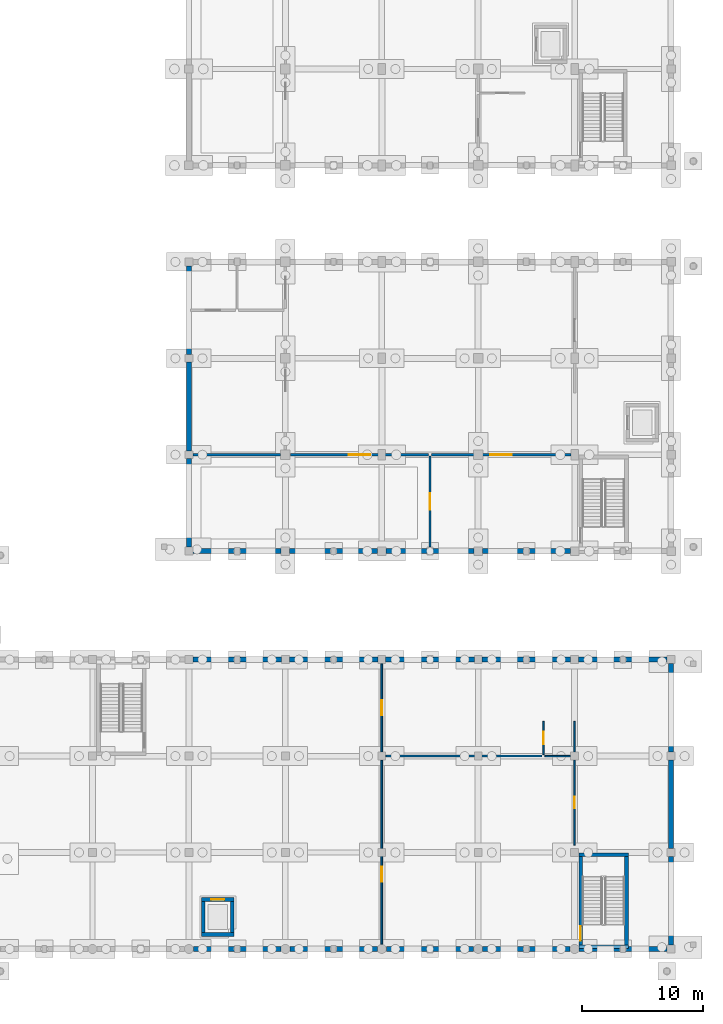
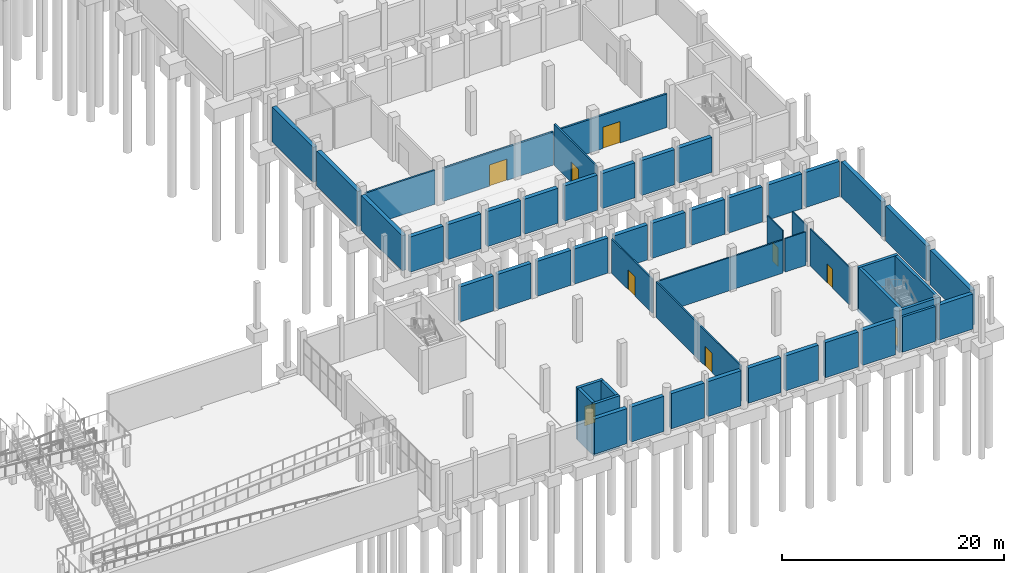
# One storey, part 31 of 52: 53 walls, 9 doors, 9 openings.
"""IFC4 building model written with IfcOpenShell, lengths in metres."""

from ifc_helpers import new_model, si_unit, direction, frame, frame_2d, origin, place, context, subcontext, project, spatial, rectangle, extrude, material, layer, layer_set, type_object, element, fill, save


model = new_model("IFC4")

# Units and contexts
model_context = context("Model", 3, precision=1e-05, world=origin(), true_north=direction((0.0, 1.0)))
body_context = subcontext(model_context, "Body", "Model", "MODEL_VIEW")
ifc_project = project(units=[si_unit("LENGTHUNIT", "METRE"), si_unit("AREAUNIT", "SQUARE_METRE"), si_unit("VOLUMEUNIT", "CUBIC_METRE"), si_unit("PLANEANGLEUNIT", "RADIAN"), si_unit("MASSUNIT", "GRAM", prefix="KILO")], contexts=[model_context])

# Site, building, storey
site_placement = place(None, origin())
site = spatial("IfcSite", under=ifc_project, at=site_placement, CompositionType="ELEMENT")
building_placement = place(site_placement, origin())
building = spatial("IfcBuilding", under=site, at=building_placement, Name="Luwemba Playhouse", CompositionType="ELEMENT")
storey_placement = place(building_placement, frame((0.0, 0.0, -4.800048828125)))
storey = spatial("IfcBuildingStorey", under=building, at=storey_placement, Name="B1", CompositionType="ELEMENT", Elevation=-4.800048828125)

# Walls
ifc_material_1 = material(Name="Concrete C40/50", Category="concrete")
ifc_layer_1 = layer(ifc_material_1, 0.300048828125)
ifc_layer_set_1 = layer_set([ifc_layer_1], Name="Concrete C40/50")
wall_type_1 = type_object("IfcWallType", Name="WAL-CORE-300", PredefinedType="SHEAR", material=ifc_layer_set_1)
wall_1_placement = place(storey_placement, frame((164.35009765625, 3.18994140625, 3.85009765625), z_axis=(0.0, 0.0, 1.0), x_axis=(1.0, 0.0, 0.0)))
element("IfcWall", 1, at=wall_1_placement, inside=storey, type_object=wall_type_1, Name="B1 ST-05 stair core wall S", PredefinedType="SHEAR", context=body_context, shape_type="SweptSolid", body=[
    extrude(rectangle(XDim=4.099853515625, YDim=0.300048828125, at=frame_2d((2.0498046875, 0.0))), origin(), (0.0, 0.0, 1.0), 0.64990234375),
])
wall_2_placement = place(storey_placement, frame((168.449951171875, 10.81005859375, -0.3798828125), z_axis=(0.0, 0.0, 1.0), x_axis=(-1.0, 0.0, 0.0)))
element("IfcWall", 2, at=wall_2_placement, inside=storey, type_object=wall_type_1, Name="B1 ST-05 stair core wall N", PredefinedType="SHEAR", context=body_context, shape_type="SweptSolid", body=[
    extrude(rectangle(XDim=4.099853515625, YDim=0.300048828125, at=frame_2d((2.0498046875, 0.0))), origin(), (0.0, 0.0, 1.0), 4.8798828125),
])

# Wall, opening, door
wall_3_placement = place(storey_placement, frame((164.5, 10.659912109375, -0.3798828125), z_axis=(0.0, 0.0, 1.0), x_axis=(0.0, -1.0, 0.0)))
wall_3 = element("IfcWall", 3, at=wall_3_placement, inside=storey, type_object=wall_type_1, Name="B1 ST-05 stair core wall W", PredefinedType="SHEAR", context=body_context, shape_type="SweptSolid", body=[
    extrude(rectangle(XDim=7.31982421875, YDim=0.300048828125, at=frame_2d((3.659912109375, 0.0))), origin(), (0.0, 0.0, 1.0), 4.8798828125),
])
opening_1_placement = place(wall_3_placement, frame((5.77001953125, 0.0, 0.3798828125)))
opening_1 = element("IfcOpeningElement", 4, at=opening_1_placement, cuts=wall_3, Name="Opening D-STAIR3", PredefinedType="OPENING", context=body_context, shape_type="SweptSolid", body=[
    extrude(rectangle(XDim=1.199951171875, YDim=2.14990234375, at=frame_2d((0.60009765625, 1.074951171875))), frame((0.0, 0.159912109375, 0.0), z_axis=(0.0, -1.0, 0.0), x_axis=(1.0, 0.0, 0.0)), (0.0, 0.0, 1.0), 0.320068359375),
])
ifc_material_2 = material(Name="Hardwood acoustic fire door leaf", Category="wood")
door_type_1 = type_object("IfcDoorType", Name="DR-STAIR-120", OperationType="NOTDEFINED", PredefinedType="DOOR", material=ifc_material_2)
door_1_placement = place(opening_1_placement, origin())
door_1 = element("IfcDoor", 5, at=door_1_placement, inside=storey, type_object=door_type_1, Name="B1 ST-05 protected stair entry door", OperationType="SINGLE_SWING_LEFT", OverallHeight=2.14990234375, OverallWidth=1.199951171875, PredefinedType="DOOR", context=body_context, shape_type="SweptSolid", body=[
    extrude(rectangle(XDim=1.199951171875, YDim=2.14990234375, at=frame_2d((0.60009765625, 1.074951171875))), frame((0.0, 0.02490234375, 0.0), z_axis=(0.0, -1.0, 0.0), x_axis=(1.0, 0.0, 0.0)), (0.0, 0.0, 1.0), 0.050048828125),
])
fill(opening_1, door_1)

# Walls
wall_4_placement = place(storey_placement, frame((168.300048828125, 10.659912109375, -0.3798828125), z_axis=(0.0, 0.0, 1.0), x_axis=(0.0, -1.0, 0.0)))
element("IfcWall", 6, at=wall_4_placement, inside=storey, type_object=wall_type_1, Name="B1 ST-05 stair core wall E", PredefinedType="SHEAR", context=body_context, shape_type="SweptSolid", body=[
    extrude(rectangle(XDim=7.31982421875, YDim=0.300048828125, at=frame_2d((3.659912109375, 0.0))), origin(), (0.0, 0.0, 1.0), 4.8798828125),
])
wall_5_placement = place(storey_placement, frame((133.050048828125, 4.199951171875, -1.199951171875), z_axis=(0.0, 0.0, 1.0), x_axis=(1.0, 0.0, 0.0)))
element("IfcWall", 7, at=wall_5_placement, inside=storey, type_object=wall_type_1, Name="B1 Lift LF-P5 shaft wall S", PredefinedType="SHEAR", context=body_context, shape_type="SweptSolid", body=[
    extrude(rectangle(XDim=2.699951171875, YDim=0.300048828125, at=frame_2d((1.35009765625, 0.0))), origin(), (0.0, 0.0, 1.0), 5.699951171875),
])

# Wall, opening, door
wall_6_placement = place(storey_placement, frame((135.75, 7.10009765625, -1.199951171875), z_axis=(0.0, 0.0, 1.0), x_axis=(-1.0, 0.0, 0.0)))
wall_6 = element("IfcWall", 8, at=wall_6_placement, inside=storey, type_object=wall_type_1, Name="B1 Lift LF-P5 shaft wall N", PredefinedType="SHEAR", context=body_context, shape_type="SweptSolid", body=[
    extrude(rectangle(XDim=2.699951171875, YDim=0.300048828125, at=frame_2d((1.35009765625, 0.0))), origin(), (0.0, 0.0, 1.0), 5.699951171875),
])
opening_2_placement = place(wall_6_placement, frame((0.800048828125, 0.0, 1.199951171875)))
opening_2 = element("IfcOpeningElement", 9, at=opening_2_placement, cuts=wall_6, Name="Opening LD-01", PredefinedType="OPENING", context=body_context, shape_type="SweptSolid", body=[
    extrude(rectangle(XDim=1.10009765625, YDim=2.14990234375, at=frame_2d((0.550048828125, 1.074951171875))), frame((0.0, 0.159912109375, 0.0), z_axis=(0.0, -1.0, 0.0), x_axis=(1.0, 0.0, 0.0)), (0.0, 0.0, 1.0), 0.320068359375),
])
ifc_material_3 = material(Name="Stainless steel lift landing doors", Category="steel")
door_type_2 = type_object("IfcDoorType", Name="DR-LIFT-110", OperationType="NOTDEFINED", PredefinedType="DOOR", material=ifc_material_3)
door_2_placement = place(opening_2_placement, origin())
door_2 = element("IfcDoor", 10, at=door_2_placement, inside=storey, type_object=door_type_2, Name="B1 Lift LF-P5 landing door", OperationType="DOUBLE_DOOR_SLIDING", OverallHeight=2.14990234375, OverallWidth=1.10009765625, PredefinedType="DOOR", context=body_context, shape_type="SweptSolid", body=[
    extrude(rectangle(XDim=1.10009765625, YDim=2.14990234375, at=frame_2d((0.550048828125, 1.074951171875))), frame((0.0, 0.02490234375, 0.0), z_axis=(0.0, -1.0, 0.0), x_axis=(1.0, 0.0, 0.0)), (0.0, 0.0, 1.0), 0.050048828125),
])
fill(opening_2, door_2)

# Walls
for number, where, z_axis, x_axis, name in (
    (11, (133.199951171875, 4.35009765625, -1.199951171875), (0.0, 0.0, 1.0), (0.0, 1.0, 0.0), "B1 Lift LF-P5 shaft wall W"),
    (12, (135.60009765625, 6.949951171875, -1.199951171875), (0.0, 0.0, 1.0), (0.0, -1.0, 0.0), "B1 Lift LF-P5 shaft wall E"),
):
    element("IfcWall", number, at=place(storey_placement, frame(where, z_axis=z_axis, x_axis=x_axis)), inside=storey, type_object=wall_type_1, Name=name, PredefinedType="SHEAR", context=body_context, shape_type="SweptSolid", body=[
        extrude(rectangle(XDim=2.599853515625, YDim=0.300048828125, at=frame_2d((1.2998046875, 0.0))), origin(), (0.0, 0.0, 1.0), 5.699951171875),
    ])
ifc_material_4 = material(Name="Moisture-resistant sanitary partition", Category="gypsum")
ifc_layer_2 = layer(ifc_material_4, 0.1201171875)
ifc_layer_set_2 = layer_set([ifc_layer_2], Name="Moisture-resistant sanitary partition")
wall_type_2 = type_object("IfcWallType", Name="WAL-INT-120", PredefinedType="PARTITIONING", material=ifc_layer_set_2)
wall_7_placement = place(storey_placement, frame((161.52001953125, 19.0, 0.0), z_axis=(0.0, 0.0, 1.0), x_axis=(1.0, 0.0, 0.0)))
element("IfcWall", 13, at=wall_7_placement, inside=storey, type_object=wall_type_2, Name="B1 V5E interior partition 0041", PredefinedType="PARTITIONING", context=body_context, shape_type="SweptSolid", body=[
    extrude(rectangle(XDim=2.135009765625, YDim=0.1201171875, at=frame_2d((1.0673828125, 0.0))), origin(), (0.0, 0.0, 1.0), 3.68505859375),
])

# Wall, opening, door
wall_8_placement = place(storey_placement, frame((164.0, 11.6201171875, 0.0), z_axis=(0.0, 0.0, 1.0), x_axis=(0.0, 1.0, 0.0)))
wall_8 = element("IfcWall", 14, at=wall_8_placement, inside=storey, type_object=wall_type_2, Name="B1 V5E interior partition 0042", PredefinedType="PARTITIONING", context=body_context, shape_type="SweptSolid", body=[
    extrude(rectangle(XDim=7.034912109375, YDim=0.1201171875, at=frame_2d((3.517578125, 0.0))), origin(), (0.0, 0.0, 1.0), 4.094970703125),
])
opening_3_placement = place(wall_8_placement, frame((3.04248046875, 0.0, 0.0)))
opening_3 = element("IfcOpeningElement", 15, at=opening_3_placement, cuts=wall_8, Name="Opening D-WC1", PredefinedType="OPENING", context=body_context, shape_type="SweptSolid", body=[
    extrude(rectangle(XDim=0.949951171875, YDim=2.10009765625, at=frame_2d((0.47509765625, 1.050048828125))), frame((0.0, 0.070068359375, 0.0), z_axis=(0.0, -1.0, 0.0), x_axis=(1.0, 0.0, 0.0)), (0.0, 0.0, 1.0), 0.14013671875),
])
ifc_material_5 = material(Name="Moisture-resistant laminate door", Category="wood")
door_type_3 = type_object("IfcDoorType", Name="DR-WC-095", OperationType="NOTDEFINED", PredefinedType="DOOR", material=ifc_material_5)
door_3_placement = place(opening_3_placement, origin())
door_3 = element("IfcDoor", 16, at=door_3_placement, inside=storey, type_object=door_type_3, Name="B1 Transit Commuter Espresso Bar to Metro Concourse Public Toilets door", OperationType="SINGLE_SWING_LEFT", OverallHeight=2.10009765625, OverallWidth=0.949951171875, PredefinedType="DOOR", context=body_context, shape_type="SweptSolid", body=[
    extrude(rectangle(XDim=0.949951171875, YDim=2.10009765625, at=frame_2d((0.47509765625, 1.050048828125))), frame((0.0, 0.02490234375, 0.0), z_axis=(0.0, -1.0, 0.0), x_axis=(1.0, 0.0, 0.0)), (0.0, 0.0, 1.0), 0.050048828125),
])
fill(opening_3, door_3)

wall_9_placement = place(storey_placement, frame((161.39990234375, 19.1201171875, 0.0), z_axis=(0.0, 0.0, 1.0), x_axis=(0.0, 1.0, 0.0)))
wall_9 = element("IfcWall", 17, at=wall_9_placement, inside=storey, type_object=wall_type_2, Name="B1 V5E interior partition 0043", PredefinedType="PARTITIONING", context=body_context, shape_type="SweptSolid", body=[
    extrude(rectangle(XDim=2.759765625, YDim=0.1201171875, at=frame_2d((1.3798828125, 0.0))), origin(), (0.0, 0.0, 1.0), 4.5),
])
opening_4_placement = place(wall_9_placement, frame((0.8798828125, 0.0, 0.0)))
opening_4 = element("IfcOpeningElement", 18, at=opening_4_placement, cuts=wall_9, Name="Opening D-AWC", PredefinedType="OPENING", context=body_context, shape_type="SweptSolid", body=[
    extrude(rectangle(XDim=1.0, YDim=2.10009765625, at=frame_2d((0.5, 1.050048828125))), frame((0.0, 0.070068359375, 0.0), z_axis=(0.0, -1.0, 0.0), x_axis=(1.0, 0.0, 0.0)), (0.0, 0.0, 1.0), 0.14013671875),
])
ifc_material_6 = material(Name="Accessible WC outward-assisted timber door", Category="wood")
door_type_4 = type_object("IfcDoorType", Name="DR-AWC-100", OperationType="NOTDEFINED", PredefinedType="DOOR", material=ifc_material_6)
door_4_placement = place(opening_4_placement, origin())
door_4 = element("IfcDoor", 19, at=door_4_placement, inside=storey, type_object=door_type_4, Name="B1 Commuter Secure Bicycle Hub to Metro Concourse Accessible WC door", OperationType="SINGLE_SWING_RIGHT", OverallHeight=2.10009765625, OverallWidth=1.0, PredefinedType="DOOR", context=body_context, shape_type="SweptSolid", body=[
    extrude(rectangle(XDim=1.0, YDim=2.10009765625, at=frame_2d((0.5, 1.050048828125))), frame((0.0, 0.02490234375, 0.0), z_axis=(0.0, -1.0, 0.0), x_axis=(1.0, 0.0, 0.0)), (0.0, 0.0, 1.0), 0.050048828125),
])
fill(opening_4, door_4)

# Wall
wall_10_placement = place(storey_placement, frame((164.0, 19.344970703125, 0.0), z_axis=(0.0, 0.0, 1.0), x_axis=(0.0, 1.0, 0.0)))
element("IfcWall", 20, at=wall_10_placement, inside=storey, type_object=wall_type_2, Name="B1 V5E interior partition 0044", PredefinedType="PARTITIONING", context=body_context, shape_type="SweptSolid", body=[
    extrude(rectangle(XDim=2.534912109375, YDim=0.1201171875, at=frame_2d((1.267578125, 0.0))), origin(), (0.0, 0.0, 1.0), 4.03515625),
])

# Wall, opening, door
ifc_material_7 = material(Name="Acoustic gypsum stud partition", Category="gypsum")
ifc_layer_3 = layer(ifc_material_7, 0.14990234375)
ifc_layer_set_3 = layer_set([ifc_layer_3], Name="Acoustic gypsum stud partition")
wall_type_3 = type_object("IfcWallType", Name="WAL-INT-150", PredefinedType="PARTITIONING", material=ifc_layer_set_3)
wall_11_placement = place(storey_placement, frame((148.0, 3.39501953125, 0.0), z_axis=(0.0, 0.0, 1.0), x_axis=(0.0, 1.0, 0.0)))
wall_11 = element("IfcWall", 21, at=wall_11_placement, inside=storey, type_object=wall_type_3, Name="B1 V5E interior partition 0038", PredefinedType="PARTITIONING", context=body_context, shape_type="SweptSolid", body=[
    extrude(rectangle(XDim=15.260009765625, YDim=0.14990234375, at=frame_2d((7.6298828125, 0.0))), origin(), (0.0, 0.0, 1.0), 3.885009765625),
])
opening_5_placement = place(wall_11_placement, frame((5.173828125, 0.0, 0.0)))
opening_5 = element("IfcOpeningElement", 22, at=opening_5_placement, cuts=wall_11, Name="Opening D-IN1", PredefinedType="OPENING", context=body_context, shape_type="SweptSolid", body=[
    extrude(rectangle(XDim=1.25, YDim=2.14990234375, at=frame_2d((0.625, 1.074951171875))), frame((0.0, 0.0849609375, 0.0), z_axis=(0.0, -1.0, 0.0), x_axis=(1.0, 0.0, 0.0)), (0.0, 0.0, 1.0), 0.169921875),
])
ifc_material_8 = material(Name="Solid hardwood interior door", Category="wood")
door_type_5 = type_object("IfcDoorType", Name="DR-INT-125", OperationType="NOTDEFINED", PredefinedType="DOOR", material=ifc_material_8)
door_5_placement = place(opening_5_placement, origin())
door_5 = element("IfcDoor", 23, at=door_5_placement, inside=storey, type_object=door_type_5, Name="B1 Metro Interchange Concourse and Ticket Hall to Transit Commuter Espresso Bar door", OperationType="SINGLE_SWING_LEFT", OverallHeight=2.14990234375, OverallWidth=1.25, PredefinedType="DOOR", context=body_context, shape_type="SweptSolid", body=[
    extrude(rectangle(XDim=1.25, YDim=2.14990234375, at=frame_2d((0.625, 1.074951171875))), frame((0.0, 0.02490234375, 0.0), z_axis=(0.0, -1.0, 0.0), x_axis=(1.0, 0.0, 0.0)), (0.0, 0.0, 1.0), 0.050048828125),
])
fill(opening_5, door_5)

wall_12_placement = place(storey_placement, frame((148.0, 19.344970703125, 0.0), z_axis=(0.0, 0.0, 1.0), x_axis=(0.0, 1.0, 0.0)))
wall_12 = element("IfcWall", 24, at=wall_12_placement, inside=storey, type_object=wall_type_3, Name="B1 V5E interior partition 0039", PredefinedType="PARTITIONING", context=body_context, shape_type="SweptSolid", body=[
    extrude(rectangle(XDim=7.31005859375, YDim=0.14990234375, at=frame_2d((3.655029296875, 0.0))), origin(), (0.0, 0.0, 1.0), 3.735107421875),
])
opening_6_placement = place(wall_12_placement, frame((3.030029296875, 0.0, 0.0)))
opening_6 = element("IfcOpeningElement", 25, at=opening_6_placement, cuts=wall_12, Name="Opening D-IN1", PredefinedType="OPENING", context=body_context, shape_type="SweptSolid", body=[
    extrude(rectangle(XDim=1.25, YDim=2.14990234375, at=frame_2d((0.625, 1.074951171875))), frame((0.0, 0.0849609375, 0.0), z_axis=(0.0, -1.0, 0.0), x_axis=(1.0, 0.0, 0.0)), (0.0, 0.0, 1.0), 0.169921875),
])
door_6_placement = place(opening_6_placement, origin())
door_6 = element("IfcDoor", 26, at=door_6_placement, inside=storey, type_object=door_type_5, Name="B1 Metro Interchange Concourse and Ticket Hall to Commuter Secure Bicycle Hub door", OperationType="SINGLE_SWING_RIGHT", OverallHeight=2.14990234375, OverallWidth=1.25, PredefinedType="DOOR", context=body_context, shape_type="SweptSolid", body=[
    extrude(rectangle(XDim=1.25, YDim=2.14990234375, at=frame_2d((0.625, 1.074951171875))), frame((0.0, 0.02490234375, 0.0), z_axis=(0.0, -1.0, 0.0), x_axis=(1.0, 0.0, 0.0)), (0.0, 0.0, 1.0), 0.050048828125),
])
fill(opening_6, door_6)

# Wall
wall_13_placement = place(storey_placement, frame((148.344970703125, 19.0, 0.0), z_axis=(0.0, 0.0, 1.0), x_axis=(1.0, 0.0, 0.0)))
element("IfcWall", 27, at=wall_13_placement, inside=storey, type_object=wall_type_3, Name="B1 V5E interior partition 0040", PredefinedType="PARTITIONING", context=body_context, shape_type="SweptSolid", body=[
    extrude(rectangle(XDim=12.93505859375, YDim=0.14990234375, at=frame_2d((6.467529296875, 0.0))), origin(), (0.0, 0.0, 1.0), 3.635009765625),
])

# Wall, opening, door
ifc_material_9 = material(Name="Double-stud acoustic gypsum partition", Category="gypsum")
ifc_layer_4 = layer(ifc_material_9, 0.179931640625)
ifc_layer_set_4 = layer_set([ifc_layer_4], Name="Double-stud acoustic gypsum partition")
wall_type_4 = type_object("IfcWallType", Name="WAL-INT-180", PredefinedType="PARTITIONING", material=ifc_layer_set_4)
wall_14_placement = place(storey_placement, frame((152.0, 36.344970703125, 0.0), z_axis=(0.0, 0.0, 1.0), x_axis=(0.0, 1.0, 0.0)))
wall_14 = element("IfcWall", 28, at=wall_14_placement, inside=storey, type_object=wall_type_4, Name="B1 V3 interior partition 0026", PredefinedType="PARTITIONING", context=body_context, shape_type="SweptSolid", body=[
    extrude(rectangle(XDim=7.534912109375, YDim=0.179931640625, at=frame_2d((3.767578125, 0.0))), origin(), (0.0, 0.0, 1.0), 4.5),
])
opening_7_placement = place(wall_14_placement, frame((3.092529296875, 0.0, 0.0)))
opening_7 = element("IfcOpeningElement", 29, at=opening_7_placement, cuts=wall_14, Name="Opening D-STU1", PredefinedType="OPENING", context=body_context, shape_type="SweptSolid", body=[
    extrude(rectangle(XDim=1.35009765625, YDim=2.199951171875, at=frame_2d((0.675048828125, 1.10009765625))), frame((0.0, 0.099853515625, 0.0), z_axis=(0.0, -1.0, 0.0), x_axis=(1.0, 0.0, 0.0)), (0.0, 0.0, 1.0), 0.199951171875),
])
ifc_material_10 = material(Name="Acoustic studio door", Category="wood")
door_type_6 = type_object("IfcDoorType", Name="DR-STU-135", OperationType="NOTDEFINED", PredefinedType="DOOR", material=ifc_material_10)
door_7_placement = place(opening_7_placement, origin())
door_7 = element("IfcDoor", 30, at=door_7_placement, inside=storey, type_object=door_type_6, Name="B1 Digital Audio Post-Production Suite to Studio Basement Corridor door", OperationType="SINGLE_SWING_LEFT", OverallHeight=2.199951171875, OverallWidth=1.35009765625, PredefinedType="DOOR", context=body_context, shape_type="SweptSolid", body=[
    extrude(rectangle(XDim=1.35009765625, YDim=2.199951171875, at=frame_2d((0.675048828125, 1.10009765625))), frame((0.0, 0.02490234375, 0.0), z_axis=(0.0, -1.0, 0.0), x_axis=(1.0, 0.0, 0.0)), (0.0, 0.0, 1.0), 0.050048828125),
])
fill(opening_7, door_7)

# Wall
wall_15_placement = place(storey_placement, frame((132.344970703125, 44.0, 0.0), z_axis=(0.0, 0.0, 1.0), x_axis=(1.0, 0.0, 0.0)))
element("IfcWall", 31, at=wall_15_placement, inside=storey, type_object=wall_type_4, Name="B1 V3 interior partition 0027", PredefinedType="PARTITIONING", context=body_context, shape_type="SweptSolid", body=[
    extrude(rectangle(XDim=7.235107421875, YDim=0.179931640625, at=frame_2d((3.61767578125, 0.0))), origin(), (0.0, 0.0, 1.0), 3.735107421875),
])

# Wall, opening, door
ifc_material_11 = material(Name="Clay acoustic masonry blockwork", Category="masonry")
ifc_layer_5 = layer(ifc_material_11, 0.199951171875)
ifc_layer_set_5 = layer_set([ifc_layer_5], Name="Clay acoustic masonry blockwork")
wall_type_5 = type_object("IfcWallType", Name="WAL-INT-200", PredefinedType="PARTITIONING", material=ifc_layer_set_5)
wall_16_placement = place(storey_placement, frame((140.419921875, 44.0, 0.0), z_axis=(0.0, 0.0, 1.0), x_axis=(1.0, 0.0, 0.0)))
wall_16 = element("IfcWall", 32, at=wall_16_placement, inside=storey, type_object=wall_type_5, Name="B1 V3 interior partition 0021", PredefinedType="PARTITIONING", context=body_context, shape_type="SweptSolid", body=[
    extrude(rectangle(XDim=11.4599609375, YDim=0.199951171875, at=frame_2d((5.72998046875, 0.0))), origin(), (0.0, 0.0, 1.0), 3.635009765625),
])
opening_8_placement = place(wall_16_placement, frame((4.830078125, 0.0, 0.0)))
opening_8 = element("IfcOpeningElement", 33, at=opening_8_placement, cuts=wall_16, Name="Opening D-AUD1", PredefinedType="OPENING", context=body_context, shape_type="SweptSolid", body=[
    extrude(rectangle(XDim=1.800048828125, YDim=2.35009765625, at=frame_2d((0.89990234375, 1.175048828125))), frame((0.0, 0.10986328125, 0.0), z_axis=(0.0, -1.0, 0.0), x_axis=(1.0, 0.0, 0.0)), (0.0, 0.0, 1.0), 0.219970703125),
])
ifc_material_12 = material(Name="Double acoustic timber theatre door", Category="wood")
door_type_7 = type_object("IfcDoorType", Name="DR-AUD-180", OperationType="NOTDEFINED", PredefinedType="DOOR", material=ifc_material_12)
door_8_placement = place(opening_8_placement, origin())
door_8 = element("IfcDoor", 34, at=door_8_placement, inside=storey, type_object=door_type_7, Name="B1 Studio Theatre Understage Chamber to Digital Audio Post-Production Suite door", OperationType="DOUBLE_DOOR_SINGLE_SWING", OverallHeight=2.35009765625, OverallWidth=1.800048828125, PredefinedType="DOOR", context=body_context, shape_type="SweptSolid", body=[
    extrude(rectangle(XDim=1.800048828125, YDim=2.35009765625, at=frame_2d((0.89990234375, 1.175048828125))), frame((0.0, 0.02490234375, 0.0), z_axis=(0.0, -1.0, 0.0), x_axis=(1.0, 0.0, 0.0)), (0.0, 0.0, 1.0), 0.050048828125),
])
fill(opening_8, door_8)

wall_17_placement = place(storey_placement, frame((152.1201171875, 44.0, 0.0), z_axis=(0.0, 0.0, 1.0), x_axis=(1.0, 0.0, 0.0)))
wall_17 = element("IfcWall", 35, at=wall_17_placement, inside=storey, type_object=wall_type_5, Name="B1 V3 interior partition 0022", PredefinedType="PARTITIONING", context=body_context, shape_type="SweptSolid", body=[
    extrude(rectangle(XDim=11.559814453125, YDim=0.199951171875, at=frame_2d((5.77978515625, 0.0))), origin(), (0.0, 0.0, 1.0), 3.68505859375),
])
opening_9_placement = place(wall_17_placement, frame((4.8798828125, 0.0, 0.0)))
opening_9 = element("IfcOpeningElement", 36, at=opening_9_placement, cuts=wall_17, Name="Opening D-AUD1", PredefinedType="OPENING", context=body_context, shape_type="SweptSolid", body=[
    extrude(rectangle(XDim=1.800048828125, YDim=2.35009765625, at=frame_2d((0.89990234375, 1.175048828125))), frame((0.0, 0.10986328125, 0.0), z_axis=(0.0, -1.0, 0.0), x_axis=(1.0, 0.0, 0.0)), (0.0, 0.0, 1.0), 0.219970703125),
])
door_9_placement = place(opening_9_placement, origin())
door_9 = element("IfcDoor", 37, at=door_9_placement, inside=storey, type_object=door_type_7, Name="B1 Studio Theatre Understage Chamber to Studio Basement Corridor door", OperationType="DOUBLE_DOOR_SINGLE_SWING", OverallHeight=2.35009765625, OverallWidth=1.800048828125, PredefinedType="DOOR", context=body_context, shape_type="SweptSolid", body=[
    extrude(rectangle(XDim=1.800048828125, YDim=2.35009765625, at=frame_2d((0.89990234375, 1.175048828125))), frame((0.0, 0.02490234375, 0.0), z_axis=(0.0, -1.0, 0.0), x_axis=(1.0, 0.0, 0.0)), (0.0, 0.0, 1.0), 0.050048828125),
])
fill(opening_9, door_9)

# Walls
ifc_material_13 = material(Name="Concrete C32/40", Category="concrete")
ifc_layer_6 = layer(ifc_material_13, 0.419921875)
ifc_layer_set_6 = layer_set([ifc_layer_6], Name="Concrete C32/40")
wall_type_6 = type_object("IfcWallType", Name="WAL-RET-420", PredefinedType="USERDEFINED", material=ifc_layer_set_6)
for number, where, z_axis, x_axis, name in (
    (38, (132.0, 36.324951171875, 0.0), (0.0, 0.0, 1.0), (0.0, 1.0, 0.0), "Basement retaining wall 037"),
    (39, (132.0, 44.324951171875, 0.0), (0.0, 0.0, 1.0), (0.0, 1.0, 0.0), "Basement retaining wall 038"),
    (40, (132.0, 52.324951171875, 0.0), (0.0, 0.0, 1.0), (0.0, 1.0, 0.0), "Basement retaining wall 039"),
):
    element("IfcWall", number, at=place(storey_placement, frame(where, z_axis=z_axis, x_axis=x_axis)), inside=storey, type_object=wall_type_6, Name=name, ObjectType="RETAINING WALL", PredefinedType="USERDEFINED", context=body_context, shape_type="SweptSolid", body=[
        extrude(rectangle(XDim=7.35009765625, YDim=0.419921875, at=frame_2d((3.675048828125, 0.0))), origin(), (0.0, 0.0, 1.0), 3.85009765625),
    ])
for number, where, z_axis, x_axis, name in (
    (41, (163.64990234375, 36.0, 0.0), (0.0, 0.0, 1.0), (-1.0, 0.0, 0.0), "Basement retaining wall 055"),
    (42, (159.77490234375, 36.0, 0.0), (0.0, 0.0, 1.0), (-1.0, 0.0, 0.0), "Basement retaining wall 056"),
):
    element("IfcWall", number, at=place(storey_placement, frame(where, z_axis=z_axis, x_axis=x_axis)), inside=storey, type_object=wall_type_6, Name=name, ObjectType="RETAINING WALL", PredefinedType="USERDEFINED", context=body_context, shape_type="SweptSolid", body=[
        extrude(rectangle(XDim=3.4248046875, YDim=0.419921875, at=frame_2d((1.71240234375, 0.0))), origin(), (0.0, 0.0, 1.0), 3.85009765625),
    ])
for number, where, z_axis, x_axis, name in (
    (43, (155.64990234375, 36.0, 0.0), (0.0, 0.0, 1.0), (-1.0, 0.0, 0.0), "Basement retaining wall 057"),
    (44, (151.75, 36.0, 0.0), (0.0, 0.0, 1.0), (-1.0, 0.0, 0.0), "Basement retaining wall 058"),
):
    element("IfcWall", number, at=place(storey_placement, frame(where, z_axis=z_axis, x_axis=x_axis)), inside=storey, type_object=wall_type_6, Name=name, ObjectType="RETAINING WALL", PredefinedType="USERDEFINED", context=body_context, shape_type="SweptSolid", body=[
        extrude(rectangle(XDim=3.39990234375, YDim=0.419921875, at=frame_2d((1.699951171875, 0.0))), origin(), (0.0, 0.0, 1.0), 3.85009765625),
    ])
for number, where, z_axis, x_axis, name in (
    (45, (147.64990234375, 36.0, 0.0), (0.0, 0.0, 1.0), (-1.0, 0.0, 0.0), "Basement retaining wall 059"),
    (46, (143.800048828125, 36.0, 0.0), (0.0, 0.0, 1.0), (-1.0, 0.0, 0.0), "Basement retaining wall 060"),
):
    element("IfcWall", number, at=place(storey_placement, frame(where, z_axis=z_axis, x_axis=x_axis)), inside=storey, type_object=wall_type_6, Name=name, ObjectType="RETAINING WALL", PredefinedType="USERDEFINED", context=body_context, shape_type="SweptSolid", body=[
        extrude(rectangle(XDim=3.449951171875, YDim=0.419921875, at=frame_2d((1.72509765625, 0.0))), origin(), (0.0, 0.0, 1.0), 3.85009765625),
    ])
wall_18_placement = place(storey_placement, frame((139.64990234375, 36.0, 0.0), z_axis=(0.0, 0.0, 1.0), x_axis=(-1.0, 0.0, 0.0)))
element("IfcWall", 47, at=wall_18_placement, inside=storey, type_object=wall_type_6, Name="Basement retaining wall 061", ObjectType="RETAINING WALL", PredefinedType="USERDEFINED", context=body_context, shape_type="SweptSolid", body=[
    extrude(rectangle(XDim=3.4248046875, YDim=0.419921875, at=frame_2d((1.71240234375, 0.0))), origin(), (0.0, 0.0, 1.0), 3.85009765625),
])
for number, where, z_axis, x_axis, name in (
    (48, (135.77490234375, 36.0, 0.0), (0.0, 0.0, 1.0), (-1.0, 0.0, 0.0), "Basement retaining wall 062"),
    (49, (132.324951171875, 27.0, 0.0), (0.0, 0.0, 1.0), (1.0, 0.0, 0.0), "Basement retaining wall 124"),
    (50, (136.22509765625, 27.0, 0.0), (0.0, 0.0, 1.0), (1.0, 0.0, 0.0), "Basement retaining wall 125"),
):
    element("IfcWall", number, at=place(storey_placement, frame(where, z_axis=z_axis, x_axis=x_axis)), inside=storey, type_object=wall_type_6, Name=name, ObjectType="RETAINING WALL", PredefinedType="USERDEFINED", context=body_context, shape_type="SweptSolid", body=[
        extrude(rectangle(XDim=3.449951171875, YDim=0.419921875, at=frame_2d((1.72509765625, 0.0))), origin(), (0.0, 0.0, 1.0), 3.85009765625),
    ])
for number, where, z_axis, x_axis, name in (
    (51, (140.324951171875, 27.0, 0.0), (0.0, 0.0, 1.0), (1.0, 0.0, 0.0), "Basement retaining wall 126"),
    (52, (144.199951171875, 27.0, 0.0), (0.0, 0.0, 1.0), (1.0, 0.0, 0.0), "Basement retaining wall 127"),
):
    element("IfcWall", number, at=place(storey_placement, frame(where, z_axis=z_axis, x_axis=x_axis)), inside=storey, type_object=wall_type_6, Name=name, ObjectType="RETAINING WALL", PredefinedType="USERDEFINED", context=body_context, shape_type="SweptSolid", body=[
        extrude(rectangle(XDim=3.47509765625, YDim=0.419921875, at=frame_2d((1.737548828125, 0.0))), origin(), (0.0, 0.0, 1.0), 3.85009765625),
    ])
for number, where, z_axis, x_axis, name in (
    (53, (148.324951171875, 27.0, 0.0), (0.0, 0.0, 1.0), (1.0, 0.0, 0.0), "Basement retaining wall 128"),
    (54, (152.25, 27.0, 0.0), (0.0, 0.0, 1.0), (1.0, 0.0, 0.0), "Basement retaining wall 129"),
):
    element("IfcWall", number, at=place(storey_placement, frame(where, z_axis=z_axis, x_axis=x_axis)), inside=storey, type_object=wall_type_6, Name=name, ObjectType="RETAINING WALL", PredefinedType="USERDEFINED", context=body_context, shape_type="SweptSolid", body=[
        extrude(rectangle(XDim=3.425048828125, YDim=0.419921875, at=frame_2d((1.71240234375, 0.0))), origin(), (0.0, 0.0, 1.0), 3.85009765625),
    ])
for number, where, z_axis, x_axis, name in (
    (55, (156.324951171875, 27.0, 0.0), (0.0, 0.0, 1.0), (1.0, 0.0, 0.0), "Basement retaining wall 130"),
    (56, (160.22509765625, 27.0, 0.0), (0.0, 0.0, 1.0), (1.0, 0.0, 0.0), "Basement retaining wall 131"),
):
    element("IfcWall", number, at=place(storey_placement, frame(where, z_axis=z_axis, x_axis=x_axis)), inside=storey, type_object=wall_type_6, Name=name, ObjectType="RETAINING WALL", PredefinedType="USERDEFINED", context=body_context, shape_type="SweptSolid", body=[
        extrude(rectangle(XDim=3.449951171875, YDim=0.419921875, at=frame_2d((1.72509765625, 0.0))), origin(), (0.0, 0.0, 1.0), 3.85009765625),
    ])
for number, where, z_axis, x_axis, name in (
    (57, (164.324951171875, 27.0, 0.0), (0.0, 0.0, 1.0), (1.0, 0.0, 0.0), "Basement retaining wall 132"),
    (58, (168.199951171875, 27.0, 0.0), (0.0, 0.0, 1.0), (1.0, 0.0, 0.0), "Basement retaining wall 133"),
):
    element("IfcWall", number, at=place(storey_placement, frame(where, z_axis=z_axis, x_axis=x_axis)), inside=storey, type_object=wall_type_6, Name=name, ObjectType="RETAINING WALL", PredefinedType="USERDEFINED", context=body_context, shape_type="SweptSolid", body=[
        extrude(rectangle(XDim=3.47509765625, YDim=0.419921875, at=frame_2d((1.737548828125, 0.0))), origin(), (0.0, 0.0, 1.0), 3.85009765625),
    ])
for number, where, z_axis, x_axis, name in (
    (59, (172.0, 26.675048828125, 0.0), (0.0, 0.0, 1.0), (0.0, -1.0, 0.0), "Basement retaining wall 134"),
    (60, (172.0, 18.675048828125, 0.0), (0.0, 0.0, 1.0), (0.0, -1.0, 0.0), "Basement retaining wall 135"),
    (61, (172.0, 10.675048828125, 0.0), (0.0, 0.0, 1.0), (0.0, -1.0, 0.0), "Basement retaining wall 136"),
):
    element("IfcWall", number, at=place(storey_placement, frame(where, z_axis=z_axis, x_axis=x_axis)), inside=storey, type_object=wall_type_6, Name=name, ObjectType="RETAINING WALL", PredefinedType="USERDEFINED", context=body_context, shape_type="SweptSolid", body=[
        extrude(rectangle(XDim=7.35009765625, YDim=0.419921875, at=frame_2d((3.675048828125, 0.0))), origin(), (0.0, 0.0, 1.0), 3.85009765625),
    ])
wall_19_placement = place(storey_placement, frame((171.675048828125, 3.0, 0.0), z_axis=(0.0, 0.0, 1.0), x_axis=(-1.0, 0.0, 0.0)))
element("IfcWall", 62, at=wall_19_placement, inside=storey, type_object=wall_type_6, Name="Basement retaining wall 137", ObjectType="RETAINING WALL", PredefinedType="USERDEFINED", context=body_context, shape_type="SweptSolid", body=[
    extrude(rectangle(XDim=3.47509765625, YDim=0.419921875, at=frame_2d((1.737548828125, 0.0))), origin(), (0.0, 0.0, 1.0), 3.85009765625),
])
wall_20_placement = place(storey_placement, frame((167.800048828125, 3.0, 0.0), z_axis=(0.0, 0.0, 1.0), x_axis=(-1.0, 0.0, 0.0)))
element("IfcWall", 63, at=wall_20_placement, inside=storey, type_object=wall_type_6, Name="Basement retaining wall 138", ObjectType="RETAINING WALL", PredefinedType="USERDEFINED", context=body_context, shape_type="SweptSolid", body=[
    extrude(rectangle(XDim=3.425048828125, YDim=0.419921875, at=frame_2d((1.71240234375, 0.0))), origin(), (0.0, 0.0, 1.0), 3.85009765625),
])
for number, where, z_axis, x_axis, name in (
    (64, (163.625, 3.0, 0.0), (0.0, 0.0, 1.0), (-1.0, 0.0, 0.0), "Basement retaining wall 139"),
    (65, (159.77490234375, 3.0, 0.0), (0.0, 0.0, 1.0), (-1.0, 0.0, 0.0), "Basement retaining wall 140"),
):
    element("IfcWall", number, at=place(storey_placement, frame(where, z_axis=z_axis, x_axis=x_axis)), inside=storey, type_object=wall_type_6, Name=name, ObjectType="RETAINING WALL", PredefinedType="USERDEFINED", context=body_context, shape_type="SweptSolid", body=[
        extrude(rectangle(XDim=3.39990234375, YDim=0.419921875, at=frame_2d((1.699951171875, 0.0))), origin(), (0.0, 0.0, 1.0), 3.85009765625),
    ])
for number, where, z_axis, x_axis, name in (
    (66, (155.625, 3.0, 0.0), (0.0, 0.0, 1.0), (-1.0, 0.0, 0.0), "Basement retaining wall 141"),
    (67, (151.75, 3.0, 0.0), (0.0, 0.0, 1.0), (-1.0, 0.0, 0.0), "Basement retaining wall 142"),
):
    element("IfcWall", number, at=place(storey_placement, frame(where, z_axis=z_axis, x_axis=x_axis)), inside=storey, type_object=wall_type_6, Name=name, ObjectType="RETAINING WALL", PredefinedType="USERDEFINED", context=body_context, shape_type="SweptSolid", body=[
        extrude(rectangle(XDim=3.375, YDim=0.419921875, at=frame_2d((1.6875, 0.0))), origin(), (0.0, 0.0, 1.0), 3.85009765625),
    ])
for number, where, z_axis, x_axis, name in (
    (68, (147.625, 3.0, 0.0), (0.0, 0.0, 1.0), (-1.0, 0.0, 0.0), "Basement retaining wall 143"),
    (69, (143.800048828125, 3.0, 0.0), (0.0, 0.0, 1.0), (-1.0, 0.0, 0.0), "Basement retaining wall 144"),
):
    element("IfcWall", number, at=place(storey_placement, frame(where, z_axis=z_axis, x_axis=x_axis)), inside=storey, type_object=wall_type_6, Name=name, ObjectType="RETAINING WALL", PredefinedType="USERDEFINED", context=body_context, shape_type="SweptSolid", body=[
        extrude(rectangle(XDim=3.425048828125, YDim=0.419921875, at=frame_2d((1.71240234375, 0.0))), origin(), (0.0, 0.0, 1.0), 3.85009765625),
    ])
for number, where, z_axis, x_axis, name in (
    (70, (139.625, 3.0, 0.0), (0.0, 0.0, 1.0), (-1.0, 0.0, 0.0), "Basement retaining wall 145"),
    (71, (135.77490234375, 3.0, 0.0), (0.0, 0.0, 1.0), (-1.0, 0.0, 0.0), "Basement retaining wall 146"),
):
    element("IfcWall", number, at=place(storey_placement, frame(where, z_axis=z_axis, x_axis=x_axis)), inside=storey, type_object=wall_type_6, Name=name, ObjectType="RETAINING WALL", PredefinedType="USERDEFINED", context=body_context, shape_type="SweptSolid", body=[
        extrude(rectangle(XDim=3.39990234375, YDim=0.419921875, at=frame_2d((1.699951171875, 0.0))), origin(), (0.0, 0.0, 1.0), 3.85009765625),
    ])

save(model, "model.ifc")
